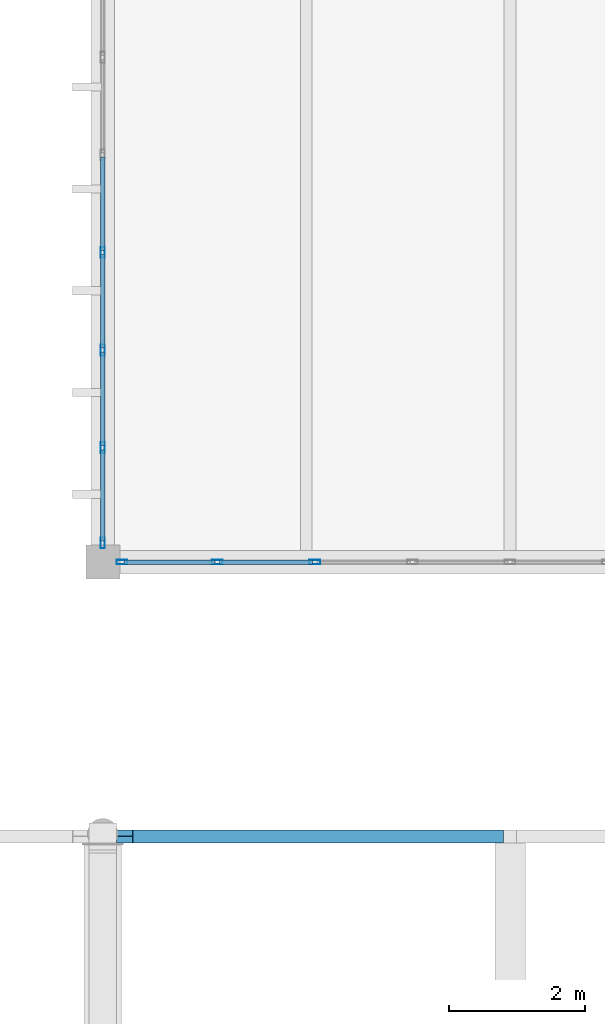
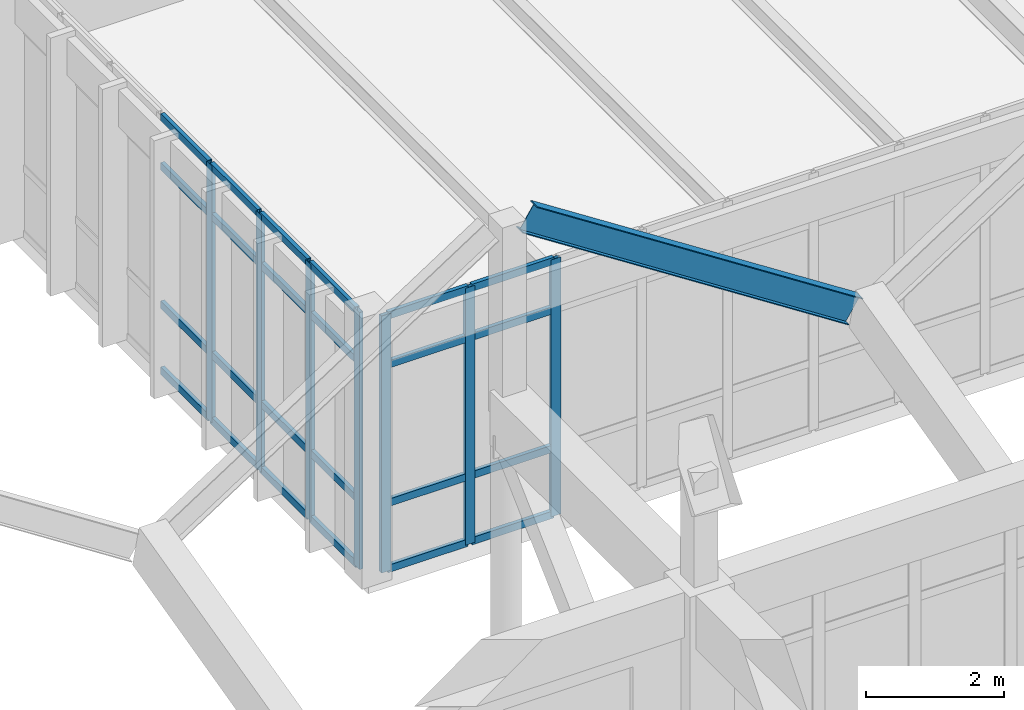
# One storey, part 73 of 236: 31 members, 1 beam, 2 elements without a shape of their own.
"""IFC4 building model written with IfcOpenShell, lengths in metres."""

from ifc_helpers import new_model, si_unit, direction, frame, origin, origin_2d, place, context, subcontext, project, spatial, hollow_rectangle, i_section, extrude, material, layer, layer_set, material_profile, profile_set, type_object, element, aggregate, save


model = new_model("IFC4")

# Units and contexts
model_context = context("Model", 3, precision=1e-05, world=origin(), true_north=direction((0.0, 1.0)))
body_context = subcontext(model_context, "Body", "Model", "MODEL_VIEW")
ifc_project = project(units=[si_unit("LENGTHUNIT", "METRE"), si_unit("AREAUNIT", "SQUARE_METRE"), si_unit("VOLUMEUNIT", "CUBIC_METRE"), si_unit("PLANEANGLEUNIT", "RADIAN"), si_unit("MASSUNIT", "GRAM", prefix="KILO")], contexts=[model_context])

# Site, building, storey
site_placement = place(None, origin())
site = spatial("IfcSite", under=ifc_project, at=site_placement, CompositionType="ELEMENT")
building_placement = place(site_placement, origin())
building = spatial("IfcBuilding", under=site, at=building_placement, Name="Pandanus Reach Market Hall", CompositionType="ELEMENT")
storey_placement = place(building_placement, frame((0.0, 0.0, 5.39990234375)))
storey = spatial("IfcBuildingStorey", under=building, at=storey_placement, Name="L01", CompositionType="ELEMENT", Elevation=5.39990234375)

# Beam
ifc_material_1 = material(Name="Steel Grade 350 (350 MPa)", Category="steel")
ifc_material_profile_1 = material_profile(ifc_material_1, i_section(OverallWidth=0.18994140625, OverallDepth=0.45703125, WebThickness=0.009033203125, FlangeThickness=0.014404296875, at=origin_2d()), Name="460UB74.6", Category="LoadBearing")
ifc_profile_set_1 = profile_set([ifc_material_profile_1], Name="Steel Grade 350 (350 MPa)")
beam_type = type_object("IfcBeamType", Name="BM-UB460-E", PredefinedType="BEAM", material=ifc_profile_set_1)
beam_placement = place(storey_placement, frame((60.320068359375, 91.9599609375, 8.7001953125), z_axis=(0.839070527962, 0.0, -0.544022654956), x_axis=(0.0, 1.0, 0.0)))
element("IfcBeam", 1, at=beam_placement, inside=storey, type_object=beam_type, Name="Butterfly transverse rib B2.8L", PredefinedType="BEAM", context=body_context, shape_type="SweptSolid", body=[
    extrude(i_section(OverallWidth=0.18994140625, OverallDepth=0.45703125, WebThickness=0.009033203125, FlangeThickness=0.014404296875, at=origin_2d()), origin(), (0.0, 0.0, 1.0), 6.507080078125),
])

# Curtain wall, members
ifc_material_2 = material(Name="Bronze anodised aluminium and low-E glass", Category="aluminium")
ifc_layer = layer(ifc_material_2, 0.159912109375, Name="CW-38")
ifc_layer_set = layer_set([ifc_layer], Name="Bronze anodised aluminium and low-E glass")
curtain_wall_type = type_object("IfcCurtainWallType", Name="CW-38", PredefinedType="NOTDEFINED", material=ifc_layer_set)
curtain_wall_1_placement = place(storey_placement, origin())
curtain_wall_1 = element("IfcCurtainWall", 2, at=curtain_wall_1_placement, inside=storey, type_object=curtain_wall_type, Name="Glazed curtain wall CW-38 CW-0135", PredefinedType="NOTDEFINED")
ifc_material_3 = material(Name="Bronze anodised aluminium", Category="aluminium")
ifc_material_profile_2 = material_profile(ifc_material_3, hollow_rectangle(XDim=0.06494140625, YDim=0.159912109375, WallThickness=0.00390625, at=origin_2d()), Name="ALU65x160", Category="LoadBearing")
ifc_profile_set_2 = profile_set([ifc_material_profile_2], Name="Bronze anodised aluminium")
member_type_1 = type_object("IfcMemberType", Name="CW-M1", PredefinedType="MULLION", material=ifc_profile_set_2)
member_1_placement = place(storey_placement, frame((60.282470703125, 96.0, 0.0), z_axis=(0.0, 0.0, 1.0), x_axis=(0.0, 1.0, 0.0)))
member_1 = element("IfcMember", 3, at=member_1_placement, type_object=member_type_1, Name="CW-38 mullion 1", PredefinedType="MULLION", context=body_context, shape_type="SweptSolid", body=[
    extrude(hollow_rectangle(XDim=0.06494140625, YDim=0.159912109375, WallThickness=0.00390625, at=origin_2d()), origin(), (0.0, 0.0, 1.0), 4.550048828125),
])
member_2_placement = place(storey_placement, frame((61.6875, 96.0, 0.0), z_axis=(0.0, 0.0, 1.0), x_axis=(0.0, 1.0, 0.0)))
member_2 = element("IfcMember", 4, at=member_2_placement, type_object=member_type_1, Name="CW-38 mullion 2", PredefinedType="MULLION", context=body_context, shape_type="SweptSolid", body=[
    extrude(hollow_rectangle(XDim=0.06494140625, YDim=0.159912109375, WallThickness=0.00390625, at=origin_2d()), origin(), (0.0, 0.0, 1.0), 4.550048828125),
])
member_3_placement = place(storey_placement, frame((63.125, 96.0, 0.0), z_axis=(0.0, 0.0, 1.0), x_axis=(0.0, 1.0, 0.0)))
member_3 = element("IfcMember", 5, at=member_3_placement, type_object=member_type_1, Name="CW-38 mullion 3", PredefinedType="MULLION", context=body_context, shape_type="SweptSolid", body=[
    extrude(hollow_rectangle(XDim=0.06494140625, YDim=0.159912109375, WallThickness=0.00390625, at=origin_2d()), origin(), (0.0, 0.0, 1.0), 4.550048828125),
])

curtain_wall_2_placement = place(storey_placement, origin())
curtain_wall_2 = element("IfcCurtainWall", 6, at=curtain_wall_2_placement, inside=storey, type_object=curtain_wall_type, Name="Glazed curtain wall CW-38 CW-0148", PredefinedType="NOTDEFINED")
member_4_placement = place(storey_placement, frame((60.0, 96.282470703125, 0.0), z_axis=(0.0, 0.0, 1.0), x_axis=(-1.0, 0.0, 0.0)))
member_4 = element("IfcMember", 7, at=member_4_placement, type_object=member_type_1, Name="CW-38 mullion 1", PredefinedType="MULLION", context=body_context, shape_type="SweptSolid", body=[
    extrude(hollow_rectangle(XDim=0.06494140625, YDim=0.159912109375, WallThickness=0.00390625, at=origin_2d()), origin(), (0.0, 0.0, 1.0), 4.550048828125),
])
member_5_placement = place(storey_placement, frame((60.0, 97.6875, 0.0), z_axis=(0.0, 0.0, 1.0), x_axis=(-1.0, 0.0, 0.0)))
member_5 = element("IfcMember", 8, at=member_5_placement, type_object=member_type_1, Name="CW-38 mullion 2", PredefinedType="MULLION", context=body_context, shape_type="SweptSolid", body=[
    extrude(hollow_rectangle(XDim=0.06494140625, YDim=0.159912109375, WallThickness=0.00390625, at=origin_2d()), origin(), (0.0, 0.0, 1.0), 4.550048828125),
])
member_6_placement = place(storey_placement, frame((60.0, 99.125, 0.0), z_axis=(0.0, 0.0, 1.0), x_axis=(-1.0, 0.0, 0.0)))
member_6 = element("IfcMember", 9, at=member_6_placement, type_object=member_type_1, Name="CW-38 mullion 3", PredefinedType="MULLION", context=body_context, shape_type="SweptSolid", body=[
    extrude(hollow_rectangle(XDim=0.06494140625, YDim=0.159912109375, WallThickness=0.00390625, at=origin_2d()), origin(), (0.0, 0.0, 1.0), 4.550048828125),
])
member_7_placement = place(storey_placement, frame((60.0, 100.5625, 0.0), z_axis=(0.0, 0.0, 1.0), x_axis=(-1.0, 0.0, 0.0)))
member_7 = element("IfcMember", 10, at=member_7_placement, type_object=member_type_1, Name="CW-38 mullion 4", PredefinedType="MULLION", context=body_context, shape_type="SweptSolid", body=[
    extrude(hollow_rectangle(XDim=0.06494140625, YDim=0.159912109375, WallThickness=0.00390625, at=origin_2d()), origin(), (0.0, 0.0, 1.0), 4.550048828125),
])

# Member
ifc_material_profile_3 = material_profile(ifc_material_3, hollow_rectangle(XDim=0.06494140625, YDim=0.1298828125, WallThickness=0.00390625, at=origin_2d()), Name="ALU65x130", Category="LoadBearing")
ifc_profile_set_3 = profile_set([ifc_material_profile_3], Name="Bronze anodised aluminium")
member_type_2 = type_object("IfcMemberType", Name="CW-T1", PredefinedType="USERDEFINED", material=ifc_profile_set_3)
member_8_placement = place(storey_placement, frame((60.31494140625, 96.0, 0.03271484375), z_axis=(1.0, 0.0, 0.0), x_axis=(0.0, 1.0, 0.0)))
member_8 = element("IfcMember", 11, at=member_8_placement, type_object=member_type_2, Name="CW-38 transom 1.1", ObjectType="TRANSOM", PredefinedType="USERDEFINED", context=body_context, shape_type="SweptSolid", body=[
    extrude(hollow_rectangle(XDim=0.06494140625, YDim=0.1298828125, WallThickness=0.00390625, at=origin_2d()), origin(), (0.0, 0.0, 1.0), 1.340087890625),
])

member_9_placement = place(storey_placement, frame((60.31494140625, 96.0, 1.2001953125), z_axis=(1.0, 0.0, 0.0), x_axis=(0.0, 1.0, 0.0)))
member_9 = element("IfcMember", 12, at=member_9_placement, type_object=member_type_2, Name="CW-38 transom 1.2", ObjectType="TRANSOM", PredefinedType="USERDEFINED", context=body_context, shape_type="SweptSolid", body=[
    extrude(hollow_rectangle(XDim=0.06494140625, YDim=0.1298828125, WallThickness=0.00390625, at=origin_2d()), origin(), (0.0, 0.0, 1.0), 1.340087890625),
])

member_10_placement = place(storey_placement, frame((60.31494140625, 96.0, 3.650146484375), z_axis=(1.0, 0.0, 0.0), x_axis=(0.0, 1.0, 0.0)))
member_10 = element("IfcMember", 13, at=member_10_placement, type_object=member_type_2, Name="CW-38 transom 1.3", ObjectType="TRANSOM", PredefinedType="USERDEFINED", context=body_context, shape_type="SweptSolid", body=[
    extrude(hollow_rectangle(XDim=0.06494140625, YDim=0.1298828125, WallThickness=0.00390625, at=origin_2d()), origin(), (0.0, 0.0, 1.0), 1.340087890625),
])

member_11_placement = place(storey_placement, frame((60.31494140625, 96.0, 4.517578125), z_axis=(1.0, 0.0, 0.0), x_axis=(0.0, 1.0, 0.0)))
member_11 = element("IfcMember", 14, at=member_11_placement, type_object=member_type_2, Name="CW-38 transom 1.4", ObjectType="TRANSOM", PredefinedType="USERDEFINED", context=body_context, shape_type="SweptSolid", body=[
    extrude(hollow_rectangle(XDim=0.06494140625, YDim=0.1298828125, WallThickness=0.00390625, at=origin_2d()), origin(), (0.0, 0.0, 1.0), 1.340087890625),
])

member_12_placement = place(storey_placement, frame((61.719970703125, 96.0, 0.03271484375), z_axis=(1.0, 0.0, 0.0), x_axis=(0.0, 1.0, 0.0)))
member_12 = element("IfcMember", 15, at=member_12_placement, type_object=member_type_2, Name="CW-38 transom 2.1", ObjectType="TRANSOM", PredefinedType="USERDEFINED", context=body_context, shape_type="SweptSolid", body=[
    extrude(hollow_rectangle(XDim=0.06494140625, YDim=0.1298828125, WallThickness=0.00390625, at=origin_2d()), origin(), (0.0, 0.0, 1.0), 1.37255859375),
])

member_13_placement = place(storey_placement, frame((61.719970703125, 96.0, 1.2001953125), z_axis=(1.0, 0.0, 0.0), x_axis=(0.0, 1.0, 0.0)))
member_13 = element("IfcMember", 16, at=member_13_placement, type_object=member_type_2, Name="CW-38 transom 2.2", ObjectType="TRANSOM", PredefinedType="USERDEFINED", context=body_context, shape_type="SweptSolid", body=[
    extrude(hollow_rectangle(XDim=0.06494140625, YDim=0.1298828125, WallThickness=0.00390625, at=origin_2d()), origin(), (0.0, 0.0, 1.0), 1.37255859375),
])

member_14_placement = place(storey_placement, frame((61.719970703125, 96.0, 3.650146484375), z_axis=(1.0, 0.0, 0.0), x_axis=(0.0, 1.0, 0.0)))
member_14 = element("IfcMember", 17, at=member_14_placement, type_object=member_type_2, Name="CW-38 transom 2.3", ObjectType="TRANSOM", PredefinedType="USERDEFINED", context=body_context, shape_type="SweptSolid", body=[
    extrude(hollow_rectangle(XDim=0.06494140625, YDim=0.1298828125, WallThickness=0.00390625, at=origin_2d()), origin(), (0.0, 0.0, 1.0), 1.37255859375),
])

member_15_placement = place(storey_placement, frame((61.719970703125, 96.0, 4.517578125), z_axis=(1.0, 0.0, 0.0), x_axis=(0.0, 1.0, 0.0)))
member_15 = element("IfcMember", 18, at=member_15_placement, type_object=member_type_2, Name="CW-38 transom 2.4", ObjectType="TRANSOM", PredefinedType="USERDEFINED", context=body_context, shape_type="SweptSolid", body=[
    extrude(hollow_rectangle(XDim=0.06494140625, YDim=0.1298828125, WallThickness=0.00390625, at=origin_2d()), origin(), (0.0, 0.0, 1.0), 1.37255859375),
])

aggregate(curtain_wall_1, [member_1, member_2, member_3, member_8, member_9, member_10, member_11, member_12, member_13, member_14, member_15])

member_16_placement = place(storey_placement, frame((60.0, 96.31494140625, 0.03271484375), z_axis=(0.0, 1.0, 0.0), x_axis=(-1.0, 0.0, 0.0)))
member_16 = element("IfcMember", 19, at=member_16_placement, type_object=member_type_2, Name="CW-38 transom 1.1", ObjectType="TRANSOM", PredefinedType="USERDEFINED", context=body_context, shape_type="SweptSolid", body=[
    extrude(hollow_rectangle(XDim=0.06494140625, YDim=0.1298828125, WallThickness=0.00390625, at=origin_2d()), origin(), (0.0, 0.0, 1.0), 1.340087890625),
])

member_17_placement = place(storey_placement, frame((60.0, 96.31494140625, 1.2001953125), z_axis=(0.0, 1.0, 0.0), x_axis=(-1.0, 0.0, 0.0)))
member_17 = element("IfcMember", 20, at=member_17_placement, type_object=member_type_2, Name="CW-38 transom 1.2", ObjectType="TRANSOM", PredefinedType="USERDEFINED", context=body_context, shape_type="SweptSolid", body=[
    extrude(hollow_rectangle(XDim=0.06494140625, YDim=0.1298828125, WallThickness=0.00390625, at=origin_2d()), origin(), (0.0, 0.0, 1.0), 1.340087890625),
])

member_18_placement = place(storey_placement, frame((60.0, 96.31494140625, 3.650146484375), z_axis=(0.0, 1.0, 0.0), x_axis=(-1.0, 0.0, 0.0)))
member_18 = element("IfcMember", 21, at=member_18_placement, type_object=member_type_2, Name="CW-38 transom 1.3", ObjectType="TRANSOM", PredefinedType="USERDEFINED", context=body_context, shape_type="SweptSolid", body=[
    extrude(hollow_rectangle(XDim=0.06494140625, YDim=0.1298828125, WallThickness=0.00390625, at=origin_2d()), origin(), (0.0, 0.0, 1.0), 1.340087890625),
])

member_19_placement = place(storey_placement, frame((60.0, 96.31494140625, 4.517578125), z_axis=(0.0, 1.0, 0.0), x_axis=(-1.0, 0.0, 0.0)))
member_19 = element("IfcMember", 22, at=member_19_placement, type_object=member_type_2, Name="CW-38 transom 1.4", ObjectType="TRANSOM", PredefinedType="USERDEFINED", context=body_context, shape_type="SweptSolid", body=[
    extrude(hollow_rectangle(XDim=0.06494140625, YDim=0.1298828125, WallThickness=0.00390625, at=origin_2d()), origin(), (0.0, 0.0, 1.0), 1.340087890625),
])

member_20_placement = place(storey_placement, frame((60.0, 97.719970703125, 0.03271484375), z_axis=(0.0, 1.0, 0.0), x_axis=(-1.0, 0.0, 0.0)))
member_20 = element("IfcMember", 23, at=member_20_placement, type_object=member_type_2, Name="CW-38 transom 2.1", ObjectType="TRANSOM", PredefinedType="USERDEFINED", context=body_context, shape_type="SweptSolid", body=[
    extrude(hollow_rectangle(XDim=0.06494140625, YDim=0.1298828125, WallThickness=0.00390625, at=origin_2d()), origin(), (0.0, 0.0, 1.0), 1.37255859375),
])

member_21_placement = place(storey_placement, frame((60.0, 97.719970703125, 1.2001953125), z_axis=(0.0, 1.0, 0.0), x_axis=(-1.0, 0.0, 0.0)))
member_21 = element("IfcMember", 24, at=member_21_placement, type_object=member_type_2, Name="CW-38 transom 2.2", ObjectType="TRANSOM", PredefinedType="USERDEFINED", context=body_context, shape_type="SweptSolid", body=[
    extrude(hollow_rectangle(XDim=0.06494140625, YDim=0.1298828125, WallThickness=0.00390625, at=origin_2d()), origin(), (0.0, 0.0, 1.0), 1.37255859375),
])

member_22_placement = place(storey_placement, frame((60.0, 97.719970703125, 3.650146484375), z_axis=(0.0, 1.0, 0.0), x_axis=(-1.0, 0.0, 0.0)))
member_22 = element("IfcMember", 25, at=member_22_placement, type_object=member_type_2, Name="CW-38 transom 2.3", ObjectType="TRANSOM", PredefinedType="USERDEFINED", context=body_context, shape_type="SweptSolid", body=[
    extrude(hollow_rectangle(XDim=0.06494140625, YDim=0.1298828125, WallThickness=0.00390625, at=origin_2d()), origin(), (0.0, 0.0, 1.0), 1.37255859375),
])

member_23_placement = place(storey_placement, frame((60.0, 97.719970703125, 4.517578125), z_axis=(0.0, 1.0, 0.0), x_axis=(-1.0, 0.0, 0.0)))
member_23 = element("IfcMember", 26, at=member_23_placement, type_object=member_type_2, Name="CW-38 transom 2.4", ObjectType="TRANSOM", PredefinedType="USERDEFINED", context=body_context, shape_type="SweptSolid", body=[
    extrude(hollow_rectangle(XDim=0.06494140625, YDim=0.1298828125, WallThickness=0.00390625, at=origin_2d()), origin(), (0.0, 0.0, 1.0), 1.37255859375),
])

member_24_placement = place(storey_placement, frame((60.0, 99.157470703125, 0.03271484375), z_axis=(0.0, 1.0, 0.0), x_axis=(-1.0, 0.0, 0.0)))
member_24 = element("IfcMember", 27, at=member_24_placement, type_object=member_type_2, Name="CW-38 transom 3.1", ObjectType="TRANSOM", PredefinedType="USERDEFINED", context=body_context, shape_type="SweptSolid", body=[
    extrude(hollow_rectangle(XDim=0.06494140625, YDim=0.1298828125, WallThickness=0.00390625, at=origin_2d()), origin(), (0.0, 0.0, 1.0), 1.37255859375),
])

member_25_placement = place(storey_placement, frame((60.0, 99.157470703125, 1.2001953125), z_axis=(0.0, 1.0, 0.0), x_axis=(-1.0, 0.0, 0.0)))
member_25 = element("IfcMember", 28, at=member_25_placement, type_object=member_type_2, Name="CW-38 transom 3.2", ObjectType="TRANSOM", PredefinedType="USERDEFINED", context=body_context, shape_type="SweptSolid", body=[
    extrude(hollow_rectangle(XDim=0.06494140625, YDim=0.1298828125, WallThickness=0.00390625, at=origin_2d()), origin(), (0.0, 0.0, 1.0), 1.37255859375),
])

member_26_placement = place(storey_placement, frame((60.0, 99.157470703125, 3.650146484375), z_axis=(0.0, 1.0, 0.0), x_axis=(-1.0, 0.0, 0.0)))
member_26 = element("IfcMember", 29, at=member_26_placement, type_object=member_type_2, Name="CW-38 transom 3.3", ObjectType="TRANSOM", PredefinedType="USERDEFINED", context=body_context, shape_type="SweptSolid", body=[
    extrude(hollow_rectangle(XDim=0.06494140625, YDim=0.1298828125, WallThickness=0.00390625, at=origin_2d()), origin(), (0.0, 0.0, 1.0), 1.37255859375),
])

member_27_placement = place(storey_placement, frame((60.0, 99.157470703125, 4.517578125), z_axis=(0.0, 1.0, 0.0), x_axis=(-1.0, 0.0, 0.0)))
member_27 = element("IfcMember", 30, at=member_27_placement, type_object=member_type_2, Name="CW-38 transom 3.4", ObjectType="TRANSOM", PredefinedType="USERDEFINED", context=body_context, shape_type="SweptSolid", body=[
    extrude(hollow_rectangle(XDim=0.06494140625, YDim=0.1298828125, WallThickness=0.00390625, at=origin_2d()), origin(), (0.0, 0.0, 1.0), 1.37255859375),
])

member_28_placement = place(storey_placement, frame((60.0, 100.594970703125, 0.03271484375), z_axis=(0.0, 1.0, 0.0), x_axis=(-1.0, 0.0, 0.0)))
member_28 = element("IfcMember", 31, at=member_28_placement, type_object=member_type_2, Name="CW-38 transom 4.1", ObjectType="TRANSOM", PredefinedType="USERDEFINED", context=body_context, shape_type="SweptSolid", body=[
    extrude(hollow_rectangle(XDim=0.06494140625, YDim=0.1298828125, WallThickness=0.00390625, at=origin_2d()), origin(), (0.0, 0.0, 1.0), 1.37255859375),
])

member_29_placement = place(storey_placement, frame((60.0, 100.594970703125, 1.2001953125), z_axis=(0.0, 1.0, 0.0), x_axis=(-1.0, 0.0, 0.0)))
member_29 = element("IfcMember", 32, at=member_29_placement, type_object=member_type_2, Name="CW-38 transom 4.2", ObjectType="TRANSOM", PredefinedType="USERDEFINED", context=body_context, shape_type="SweptSolid", body=[
    extrude(hollow_rectangle(XDim=0.06494140625, YDim=0.1298828125, WallThickness=0.00390625, at=origin_2d()), origin(), (0.0, 0.0, 1.0), 1.37255859375),
])

member_30_placement = place(storey_placement, frame((60.0, 100.594970703125, 3.650146484375), z_axis=(0.0, 1.0, 0.0), x_axis=(-1.0, 0.0, 0.0)))
member_30 = element("IfcMember", 33, at=member_30_placement, type_object=member_type_2, Name="CW-38 transom 4.3", ObjectType="TRANSOM", PredefinedType="USERDEFINED", context=body_context, shape_type="SweptSolid", body=[
    extrude(hollow_rectangle(XDim=0.06494140625, YDim=0.1298828125, WallThickness=0.00390625, at=origin_2d()), origin(), (0.0, 0.0, 1.0), 1.37255859375),
])

member_31_placement = place(storey_placement, frame((60.0, 100.594970703125, 4.517578125), z_axis=(0.0, 1.0, 0.0), x_axis=(-1.0, 0.0, 0.0)))
member_31 = element("IfcMember", 34, at=member_31_placement, type_object=member_type_2, Name="CW-38 transom 4.4", ObjectType="TRANSOM", PredefinedType="USERDEFINED", context=body_context, shape_type="SweptSolid", body=[
    extrude(hollow_rectangle(XDim=0.06494140625, YDim=0.1298828125, WallThickness=0.00390625, at=origin_2d()), origin(), (0.0, 0.0, 1.0), 1.37255859375),
])

aggregate(curtain_wall_2, [member_4, member_5, member_6, member_7, member_16, member_17, member_18, member_19, member_20, member_21, member_22, member_23, member_24, member_25, member_26, member_27, member_28, member_29, member_30, member_31])

save(model, "model.ifc")
